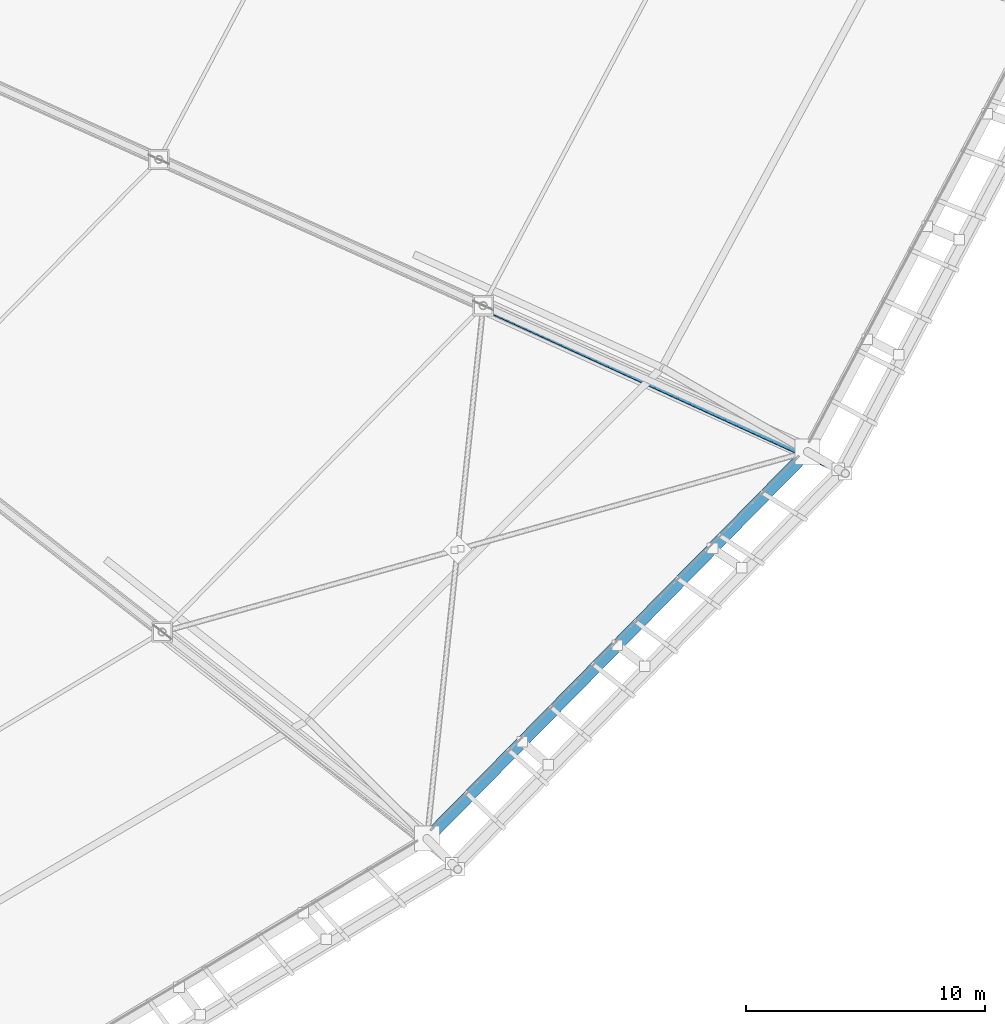
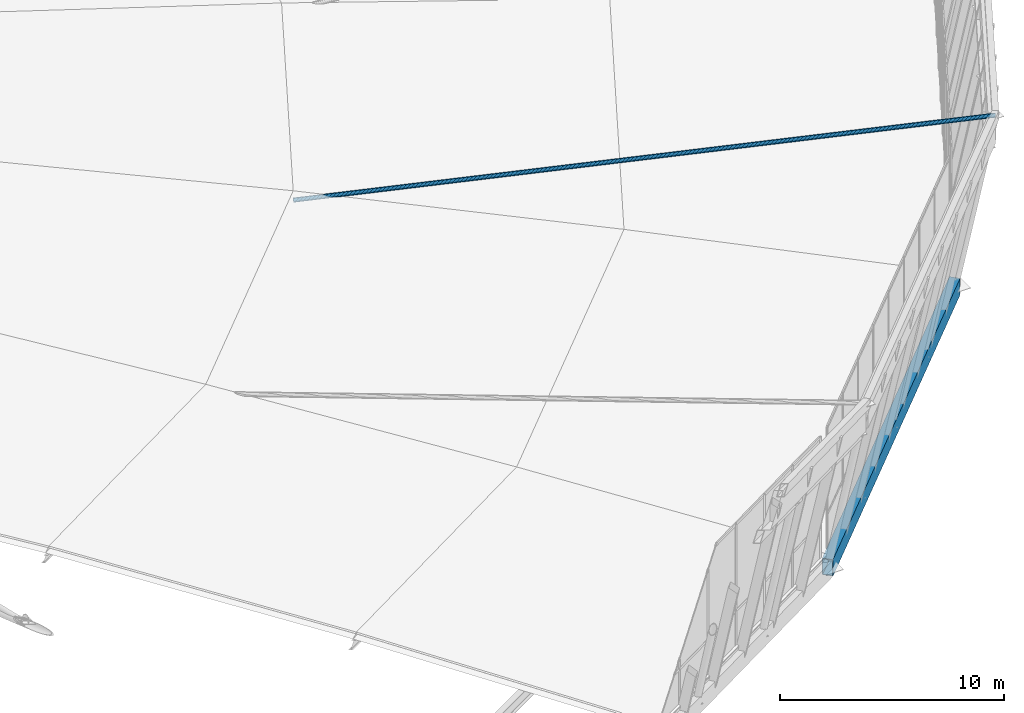
# One storey, part 44 of 115: 1 beam, 1 member.
"""IFC4 building model written with IfcOpenShell, lengths in metres."""

from ifc_helpers import new_model, si_unit, direction, frame, origin, origin_2d, place, context, subcontext, project, spatial, hollow_rectangle, hollow_circle, extrude, material, material_profile, profile_set, type_object, element, save


model = new_model("IFC4")

# Units and contexts
model_context = context("Model", 3, precision=1e-05, world=origin(), true_north=direction((0.0, 1.0)))
body_context = subcontext(model_context, "Body", "Model", "MODEL_VIEW")
ifc_project = project(units=[si_unit("LENGTHUNIT", "METRE"), si_unit("AREAUNIT", "SQUARE_METRE"), si_unit("VOLUMEUNIT", "CUBIC_METRE"), si_unit("PLANEANGLEUNIT", "RADIAN"), si_unit("MASSUNIT", "GRAM", prefix="KILO")], contexts=[model_context])

# Site, building, storey
site_placement = place(None, origin())
site = spatial("IfcSite", under=ifc_project, at=site_placement, CompositionType="ELEMENT")
building_placement = place(site_placement, origin())
building = spatial("IfcBuilding", under=site, at=building_placement, Name="Zlatoyarsky Gate Stadium", CompositionType="ELEMENT")
storey_placement = place(building_placement, frame((0.0, 0.0, 31.800048828125)))
storey = spatial("IfcBuildingStorey", under=building, at=storey_placement, Name="RF", CompositionType="ELEMENT", Elevation=31.800048828125)

# Member
ifc_material = material(Name="Steel S355", Category="steel")
ifc_material_profile_1 = material_profile(ifc_material, hollow_circle(Radius=0.109619140625, WallThickness=0.012451171875, at=origin_2d()), Name="CHS 219.1X12.5")
ifc_profile_set_1 = profile_set([ifc_material_profile_1], Name="Steel S355")
member_type = type_object("IfcMemberType", Name="STEEL CANOPY WIND BRACE CHS 219.1X12.5", PredefinedType="BRACE", material=ifc_profile_set_1)
member_placement = place(storey_placement, frame((199.19970703125, 40.077880859375, 8.849853515625), z_axis=(-0.906447764007, 0.414552111978, -0.080616360509), x_axis=(-0.415905800363, -0.909407700223, 0.0)))
element("IfcMember", 1, at=member_placement, inside=storey, type_object=member_type, Name="Crown fascia tie brace 22", PredefinedType="BRACE", context=body_context, shape_type="SweptSolid", body=[
    extrude(hollow_circle(Radius=0.109619140625, WallThickness=0.012451171875, at=origin_2d()), origin(), (0.0, 0.0, 1.0), 31.62890625),
])

# Beam
ifc_material_profile_2 = material_profile(ifc_material, hollow_rectangle(XDim=0.5, YDim=0.89990234375, WallThickness=0.028076171875, at=origin_2d()), Name="RHS 900X500X28")
ifc_profile_set_2 = profile_set([ifc_material_profile_2], Name="Steel S355")
beam_type = type_object("IfcBeamType", Name="STEEL OUTER COMPRESSION RING BEAM RHS 900X500X28", PredefinedType="USERDEFINED", material=ifc_profile_set_2)
beam_placement = place(storey_placement, frame((181.730224609375, 24.826171875, -0.449951171875), z_axis=(0.701266884869, 0.712898840079, 0.0), x_axis=(-0.712898840079, 0.701266884869, 0.0)))
element("IfcBeam", 2, at=beam_placement, inside=storey, type_object=beam_type, Name="Outer compression ring beam 21", ObjectType="RING BEAM", PredefinedType="USERDEFINED", context=body_context, shape_type="SweptSolid", body=[
    extrude(hollow_rectangle(XDim=0.5, YDim=0.89990234375, WallThickness=0.028076171875, at=origin_2d()), origin(), (0.0, 0.0, 1.0), 22.66796875),
])

save(model, "model.ifc")
